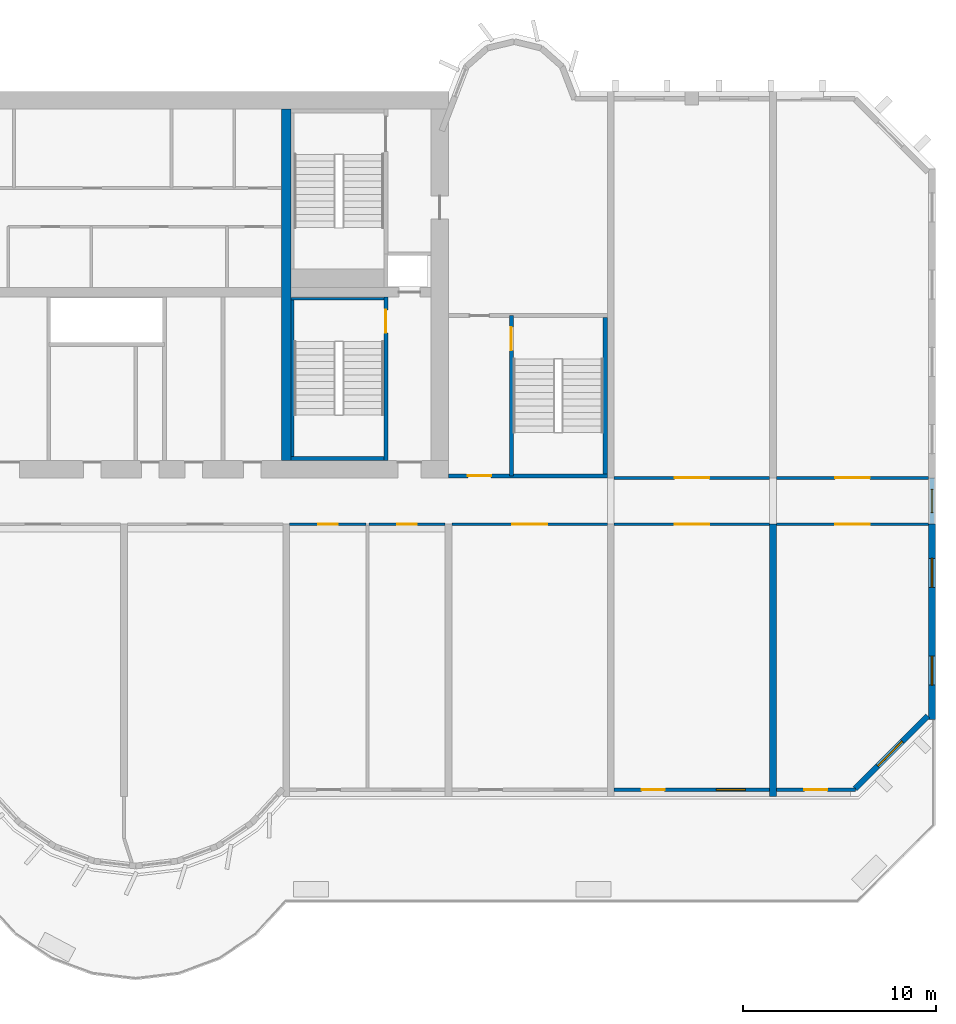
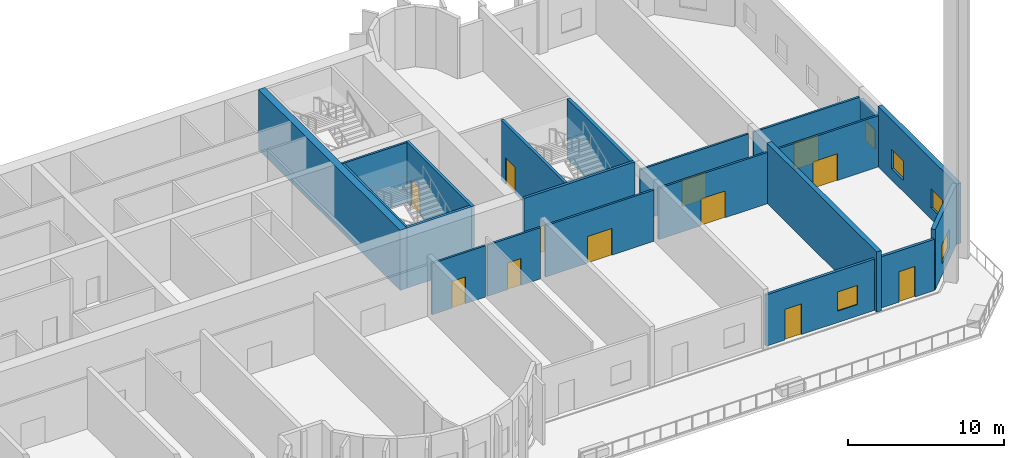
# One storey, part 7 of 13: 21 walls, 12 doors, 5 windows, 17 openings.
"""IFC4 building model written with IfcOpenShell, lengths in metres."""

import ifcopenshell
import ifcopenshell.guid

model = None  # the IFC model being written
_history = None  # IfcOwnerHistory: only IFC2X3 demands one
_inside = {}  # id of a spatial element -> (the spatial element, [elements in it])
_under = {}  # id of a project, library or spatial element -> (it, [spatial elements below it])
_declared = {}  # id of a project -> (the project, [libraries it declares])
_typed = {}  # id of a type object -> (the type object, [elements of that type])
_made_of = {}  # id of a material, layer set ... -> (it, [elements and type objects made of it])


def new_model(schema):
    """Start an empty IFC model of exactly this schema.

    Asked for "IFC4X3", IfcOpenShell would pick the latest addendum, in which some entities
    have other attributes; the version numbers below select the first issue.
    IFC2X3 requires an IfcOwnerHistory on every rooted entity: one is made here for all.
    """
    global model, _history
    if schema == "IFC4X3":
        model = ifcopenshell.file(schema_version=(4, 3, 0, 0))
    else:
        model = ifcopenshell.file(schema=schema)
    _inside.clear()
    _under.clear()
    _declared.clear()
    _typed.clear()
    _made_of.clear()
    _history = None
    if model.schema == "IFC2X3":
        org = make("IfcOrganization", Name="unknown")
        user = make(
            "IfcPersonAndOrganization",
            ThePerson=make("IfcPerson", FamilyName="unknown"),
            TheOrganization=org,
        )
        app = make(
            "IfcApplication",
            ApplicationDeveloper=org,
            Version="unknown",
            ApplicationFullName="unknown",
            ApplicationIdentifier="unknown",
        )
        _history = make(
            "IfcOwnerHistory",
            OwningUser=user,
            OwningApplication=app,
            ChangeAction="ADDED",
            CreationDate=0,
        )
    return model


def make(cls, **values):
    """One entity of the class cls with the attributes given. An attribute that is None is left unset."""
    return model.create_entity(
        cls, **{name: value for name, value in values.items() if value is not None}
    )


def rooted(cls, **values):
    """An entity with a GlobalId (a new one), such as an element, a storey or a relation."""
    return make(cls, GlobalId=ifcopenshell.guid.new(), OwnerHistory=_history, **values)


def si_unit(unit_type, name, prefix=None):
    """IfcSIUnit, for example si_unit("LENGTHUNIT", "METRE", prefix="MILLI")."""
    return make("IfcSIUnit", UnitType=unit_type, Prefix=prefix, Name=name)


def assignment(units):
    """IfcUnitAssignment: the units of a project."""
    return None if units is None else make("IfcUnitAssignment", Units=units)


def point(xyz):
    """IfcCartesianPoint."""
    return None if xyz is None else make("IfcCartesianPoint", Coordinates=xyz)


def direction(xyz):
    """IfcDirection."""
    return None if xyz is None else make("IfcDirection", DirectionRatios=xyz)


def frame(location, z_axis=None, x_axis=None):
    """IfcAxis2Placement3D, a coordinate frame: its origin and axes. An axis left out is left unset."""
    return make(
        "IfcAxis2Placement3D",
        Location=point(location),
        Axis=direction(z_axis),
        RefDirection=direction(x_axis),
    )


def frame_2d(location, x_axis=None):
    """IfcAxis2Placement2D, a coordinate frame in the plane: its origin and x axis."""
    return make(
        "IfcAxis2Placement2D", Location=point(location), RefDirection=direction(x_axis)
    )


def origin():
    """The frame at (0, 0, 0) with its axes left unset."""
    return frame((0.0, 0.0, 0.0))


def place(relative_to, where):
    """IfcLocalPlacement: puts the frame where relative to a parent placement (None: the world)."""
    return make(
        "IfcLocalPlacement", PlacementRelTo=relative_to, RelativePlacement=where
    )


def context(
    kind, dimensions, precision=None, world=None, true_north=None, identifier=None
):
    """IfcGeometricRepresentationContext, for example the 3D "Model" context."""
    return make(
        "IfcGeometricRepresentationContext",
        ContextIdentifier=identifier,
        ContextType=kind,
        CoordinateSpaceDimension=dimensions,
        Precision=precision,
        WorldCoordinateSystem=world,
        TrueNorth=true_north,
    )


def subcontext(parent, identifier, kind, view, scale=None):
    """IfcGeometricRepresentationSubContext, for example "Body" below "Model"."""
    return make(
        "IfcGeometricRepresentationSubContext",
        ContextIdentifier=identifier,
        ContextType=kind,
        ParentContext=parent,
        TargetScale=scale,
        TargetView=view,
    )


def project(units=None, contexts=None):
    """IfcProject with its units and contexts."""
    return rooted(
        "IfcProject",
        Name="project",
        RepresentationContexts=contexts,
        UnitsInContext=assignment(units),
    )


def spatial(cls, under=None, at=None, **own):
    """A site, building, storey or space (cls), placed at a placement, below another one or the project."""
    s = rooted(cls, ObjectPlacement=at, **own)
    if under is not None:
        _under.setdefault(under.id(), (under, []))[1].append(s)
    return s


def profile(cls, at=None, kind="AREA", **sizes):
    """A parametric profile (cls). Its sizes go by their IFC names, for example OverallWidth=200.0."""
    return make(cls, ProfileType=kind, Position=at, **sizes)


def rectangle(**sizes):
    """IfcRectangleProfileDef."""
    return profile("IfcRectangleProfileDef", **sizes)


def extrude(swept, where, along, depth):
    """IfcExtrudedAreaSolid: the profile swept, set in the frame where, extruded along a direction by depth."""
    return make(
        "IfcExtrudedAreaSolid",
        SweptArea=swept,
        Position=where,
        ExtrudedDirection=direction(along),
        Depth=depth,
    )


def shape(context_of_items, identifier, shape_type, items):
    """IfcShapeRepresentation: the items that make up one representation, for example the "Body"."""
    return make(
        "IfcShapeRepresentation",
        ContextOfItems=context_of_items,
        RepresentationIdentifier=identifier,
        RepresentationType=shape_type,
        Items=items,
    )


def source(mapping_origin, context_of_items, identifier, shape_type, items):
    """IfcRepresentationMap: a shape defined once, which mapped items show again and again."""
    return make(
        "IfcRepresentationMap",
        MappingOrigin=mapping_origin,
        MappedRepresentation=shape(context_of_items, identifier, shape_type, items),
    )


def transform(
    local_origin,
    x_axis=None,
    y_axis=None,
    z_axis=None,
    scale=None,
    scale2=None,
    scale3=None,
    uniform=True,
):
    """IfcCartesianTransformationOperator3D, or its non-uniform kind. x_axis, y_axis, z_axis: its Axis1, 2, 3."""
    if uniform:
        return make(
            "IfcCartesianTransformationOperator3D",
            Axis1=direction(x_axis),
            Axis2=direction(y_axis),
            LocalOrigin=point(local_origin),
            Scale=scale,
            Axis3=direction(z_axis),
        )
    return make(
        "IfcCartesianTransformationOperator3DnonUniform",
        Axis1=direction(x_axis),
        Axis2=direction(y_axis),
        LocalOrigin=point(local_origin),
        Scale=scale,
        Axis3=direction(z_axis),
        Scale2=scale2,
        Scale3=scale3,
    )


def mapped(mapping_source, mapping_target):
    """IfcMappedItem: shows the shape of a source again, moved by a transform."""
    return make(
        "IfcMappedItem", MappingSource=mapping_source, MappingTarget=mapping_target
    )


def material(Name=None, Category=None):
    """IfcMaterial."""
    return make("IfcMaterial", Name=Name, Category=Category)


def layer(
    of_material, thickness, ventilated=None, Name=None, Category=None, Priority=None
):
    """IfcMaterialLayer: one layer of a wall or slab, of a material (None: an air gap)."""
    return make(
        "IfcMaterialLayer",
        Material=of_material,
        LayerThickness=thickness,
        IsVentilated=ventilated,
        Name=Name,
        Category=Category,
        Priority=Priority,
    )


def layer_set(layers, Name=None):
    """IfcMaterialLayerSet."""
    return make("IfcMaterialLayerSet", MaterialLayers=layers, LayerSetName=Name)


def made_of(thing, what):
    """Note that an element or type object is made of a material, layer set ...; save() writes the relation."""
    if what is not None:
        _made_of.setdefault(what.id(), (what, []))[1].append(thing)
    return thing


def type_object(cls, material=None, **own):
    """A type object (cls), such as IfcWallType, which elements share."""
    return made_of(rooted(cls, **own), material)


def element(
    cls,
    number,
    at=None,
    inside=None,
    cuts=None,
    type_object=None,
    material=None,
    context=None,
    identifier="Body",
    shape_type=None,
    held_by="IfcProductDefinitionShape",
    body=None,
    shapes=None,
    **own,
):
    """One element of the class cls, such as IfcWall. Its Tag is "e" and its number.

    at: its placement. inside: the storey or other place that contains it. cuts: it is an
    opening in that element (IfcRelVoidsElement). A single representation is given by context,
    identifier, shape_type and body (its items); several are given by shapes. held_by: the class
    of the entity that holds the representations. save() writes the other relations.
    """
    e = rooted(cls, Tag="e%d" % number, ObjectPlacement=at, **own)
    if body is not None:
        shapes = [shape(context, identifier, shape_type, body)]
    if shapes is not None:
        e.Representation = make(held_by, Representations=shapes)
    if inside is not None:
        _inside.setdefault(inside.id(), (inside, []))[1].append(e)
    if cuts is not None:
        rooted(
            "IfcRelVoidsElement", RelatingBuildingElement=cuts, RelatedOpeningElement=e
        )
    if type_object is not None:
        _typed.setdefault(type_object.id(), (type_object, []))[1].append(e)
    return made_of(e, material)


def fill(opening, filler):
    """IfcRelFillsElement: the door or window that sits in an opening."""
    return rooted(
        "IfcRelFillsElement",
        RelatingOpeningElement=opening,
        RelatedBuildingElement=filler,
    )


def aggregate(whole, parts):
    """IfcRelAggregates: a whole, such as a stair, and the parts it consists of."""
    return rooted("IfcRelAggregates", RelatingObject=whole, RelatedObjects=parts)


def save(model, path):
    """Write the relations noted so far, then the file.

    IfcRelAggregates (storeys below a building ...), IfcRelContainedInSpatialStructure (elements
    in a storey), IfcRelDefinesByType, IfcRelAssociatesMaterial and IfcRelDeclares: one each for
    every whole, place, type object, material and project.
    """
    for whole, parts in _under.values():
        aggregate(whole, parts)
    for where, things in _inside.values():
        rooted(
            "IfcRelContainedInSpatialStructure",
            RelatedElements=things,
            RelatingStructure=where,
        )
    for kind, things in _typed.values():
        rooted("IfcRelDefinesByType", RelatedObjects=things, RelatingType=kind)
    for what, things in _made_of.values():
        rooted("IfcRelAssociatesMaterial", RelatedObjects=things, RelatingMaterial=what)
    for by, libraries in _declared.values():
        rooted("IfcRelDeclares", RelatingContext=by, RelatedDefinitions=libraries)
    model.write(path)


model = new_model("IFC4")

# Units and contexts
model_context = context("Model", 3, precision=1e-05, world=origin(), true_north=direction((0.0, 1.0)))
body_context = subcontext(model_context, "Body", "Model", "MODEL_VIEW")
ifc_project = project(units=[si_unit("LENGTHUNIT", "METRE"), si_unit("AREAUNIT", "SQUARE_METRE"), si_unit("VOLUMEUNIT", "CUBIC_METRE"), si_unit("PLANEANGLEUNIT", "RADIAN"), si_unit("MASSUNIT", "GRAM", prefix="KILO")], contexts=[model_context])

# Site, building, storey
site_placement = place(None, origin())
site = spatial("IfcSite", under=ifc_project, at=site_placement, CompositionType="ELEMENT")
building_placement = place(site_placement, origin())
building = spatial("IfcBuilding", under=site, at=building_placement, Name="Vanashikhar Sky Hotel", CompositionType="ELEMENT")
storey_placement = place(building_placement, frame((0.0, 0.0, 86.39990234375)))
storey = spatial("IfcBuildingStorey", under=building, at=storey_placement, Name="L20", CompositionType="ELEMENT", Elevation=86.39990234375)

# Wall
ifc_material_1 = material(Name="Concrete M70", Category="concrete")
ifc_layer_1 = layer(ifc_material_1, 0.5)
ifc_layer_set_1 = layer_set([ifc_layer_1], Name="RC core inner wall 500 Concrete M70")
wall_type_1 = type_object("IfcWallType", Name="RC core inner wall 500 Concrete M70", PredefinedType="SHEAR", material=ifc_layer_set_1)
shared_shape_1 = source(origin(), body_context, "Body", "SweptSolid", [
    extrude(rectangle(XDim=18.2001953125, YDim=0.5, at=frame_2d((9.10009765625, 0.0))), origin(), (0.0, 0.0, 1.0), 4.72021484375),
])
wall_1_placement = place(storey_placement, frame((67.199951171875, 22.89990234375, 0.0), z_axis=(0.0, 0.0, 1.0), x_axis=(0.0, 1.0, 0.0)))
element("IfcWall", 1, at=wall_1_placement, inside=storey, type_object=wall_type_1, Name="KW-L20-KX3", PredefinedType="SHEAR", context=body_context, shape_type="MappedRepresentation", body=[
    mapped(shared_shape_1, transform((0.0, 0.0, 0.0), scale=1.0)),
])

# Wall, openings, windows
ifc_layer_2 = layer(ifc_material_1, 0.35009765625)
ifc_layer_set_2 = layer_set([ifc_layer_2], Name="RC shear wall 350 Concrete M70")
wall_type_2 = type_object("IfcWallType", Name="RC shear wall 350 Concrete M70", PredefinedType="SHEAR", material=ifc_layer_set_2)
shared_shape_2 = source(origin(), body_context, "Body", "SweptSolid", [
    extrude(rectangle(XDim=10.10009765625, YDim=0.35009765625, at=frame_2d((5.050048828125, 0.0))), origin(), (0.0, 0.0, 1.0), 4.72021484375),
])
wall_2_placement = place(storey_placement, frame((100.625, 9.5, 0.0), z_axis=(0.0, 0.0, 1.0), x_axis=(0.0, 1.0, 0.0)))
wall_2 = element("IfcWall", 2, at=wall_2_placement, inside=storey, type_object=wall_type_2, Name="CW-L20-XW13-1", PredefinedType="SHEAR", context=body_context, shape_type="MappedRepresentation", body=[
    mapped(shared_shape_2, transform((0.0, 0.0, 0.0), scale=1.0)),
])
shared_shape_3 = source(origin(), body_context, "Body", "SweptSolid", [
    extrude(rectangle(XDim=1.5, YDim=1.5, at=frame_2d((0.75, 0.75))), frame((0.0, 0.18505859375, 0.0), z_axis=(0.0, -1.0, 0.0), x_axis=(1.0, 0.0, 0.0)), (0.0, 0.0, 1.0), 0.3701171875),
])
opening_1_placement = place(wall_2_placement, frame((1.77490234375, 0.0, 0.89990234375)))
opening_1 = element("IfcOpeningElement", 3, at=opening_1_placement, cuts=wall_2, Name="Opening WN-1", PredefinedType="OPENING", context=body_context, shape_type="MappedRepresentation", body=[
    mapped(shared_shape_3, transform((0.0, 0.0, 0.0), scale=1.0)),
])
opening_2_placement = place(wall_2_placement, frame((6.824951171875, 0.0, 0.89990234375)))
opening_2 = element("IfcOpeningElement", 4, at=opening_2_placement, cuts=wall_2, Name="Opening WN-1", PredefinedType="OPENING", context=body_context, shape_type="MappedRepresentation", body=[
    mapped(shared_shape_3, transform((0.0, 0.0, 0.0), scale=1.0)),
])
ifc_material_2 = material(Name="Glass", Category="glass")
window_type_1 = type_object("IfcWindowType", Name="Window 1500 x 1500", PartitioningType="SINGLE_PANEL", PredefinedType="WINDOW", material=ifc_material_2)
shared_shape_4 = source(origin(), body_context, "Body", "SweptSolid", [
    extrude(rectangle(XDim=1.5, YDim=1.5, at=frame_2d((0.75, 0.75))), frame((0.0, 0.030029296875, 0.0), z_axis=(0.0, -1.0, 0.0), x_axis=(1.0, 0.0, 0.0)), (0.0, 0.0, 1.0), 0.06005859375),
])
window_1_placement = place(opening_1_placement, origin())
window_1 = element("IfcWindow", 5, at=window_1_placement, inside=storey, type_object=window_type_1, Name="Window WN-1", OverallHeight=1.5, OverallWidth=1.5, PartitioningType="SINGLE_PANEL", PredefinedType="WINDOW", context=body_context, shape_type="MappedRepresentation", body=[
    mapped(shared_shape_4, transform((0.0, 0.0, 0.0), scale=1.0)),
])
fill(opening_1, window_1)
window_2_placement = place(opening_2_placement, origin())
window_2 = element("IfcWindow", 6, at=window_2_placement, inside=storey, type_object=window_type_1, Name="Window WN-1", OverallHeight=1.5, OverallWidth=1.5, PartitioningType="SINGLE_PANEL", PredefinedType="WINDOW", context=body_context, shape_type="MappedRepresentation", body=[
    mapped(shared_shape_4, transform((0.0, 0.0, 0.0), scale=1.0)),
])
fill(opening_2, window_2)

# Wall
shared_shape_5 = source(origin(), body_context, "Body", "SweptSolid", [
    extrude(rectangle(XDim=14.10009765625, YDim=0.35009765625, at=frame_2d((7.050048828125, 0.0))), origin(), (0.0, 0.0, 1.0), 4.72021484375),
])
wall_3_placement = place(storey_placement, frame((92.39990234375, 5.5, 0.0), z_axis=(0.0, 0.0, 1.0), x_axis=(0.0, 1.0, 0.0)))
element("IfcWall", 7, at=wall_3_placement, inside=storey, type_object=wall_type_2, Name="CW-L20-XW12-1", PredefinedType="SHEAR", context=body_context, shape_type="MappedRepresentation", body=[
    mapped(shared_shape_5, transform((0.0, 0.0, 0.0), scale=1.0)),
])

# Wall, opening, window
ifc_material_3 = material(Name="Concrete M50", Category="concrete")
ifc_layer_3 = layer(ifc_material_3, 0.25)
ifc_layer_set_3 = layer_set([ifc_layer_3], Name="Rear and end board-marked wall 250")
wall_type_3 = type_object("IfcWallType", Name="Rear and end board-marked wall 250", PredefinedType="SOLIDWALL", material=ifc_layer_set_3)
shared_shape_6 = source(origin(), body_context, "Body", "SweptSolid", [
    extrude(rectangle(XDim=2.39990234375, YDim=0.25, at=frame_2d((1.199951171875, 0.0))), origin(), (0.0, 0.0, 1.0), 3.820068359375),
])
wall_4_placement = place(storey_placement, frame((100.625, 19.60009765625, 0.0), z_axis=(0.0, 0.0, 1.0), x_axis=(0.0, 1.0, 0.0)))
wall_4 = element("IfcWall", 8, at=wall_4_placement, inside=storey, type_object=wall_type_3, Name="End corridor infill wall", PredefinedType="SOLIDWALL", context=body_context, shape_type="MappedRepresentation", body=[
    mapped(shared_shape_6, transform((0.0, 0.0, 0.0), scale=1.0)),
])
shared_shape_7 = source(origin(), body_context, "Body", "SweptSolid", [
    extrude(rectangle(XDim=1.199951171875, YDim=1.5, at=frame_2d((0.60009765625, 0.75))), frame((0.0, 0.135009765625, 0.0), z_axis=(0.0, -1.0, 0.0), x_axis=(1.0, 0.0, 0.0)), (0.0, 0.0, 1.0), 0.27001953125),
])
opening_3_placement = place(wall_4_placement, frame((0.60009765625, 0.0, 0.89990234375)))
opening_3 = element("IfcOpeningElement", 9, at=opening_3_placement, cuts=wall_4, Name="Opening WN-3", PredefinedType="OPENING", context=body_context, shape_type="MappedRepresentation", body=[
    mapped(shared_shape_7, transform((0.0, 0.0, 0.0), scale=1.0)),
])
window_type_2 = type_object("IfcWindowType", Name="Corridor end window 1200 x 1500", PartitioningType="SINGLE_PANEL", PredefinedType="WINDOW", material=ifc_material_2)
shared_shape_8 = source(origin(), body_context, "Body", "SweptSolid", [
    extrude(rectangle(XDim=1.199951171875, YDim=1.5, at=frame_2d((0.60009765625, 0.75))), frame((0.0, 0.030029296875, 0.0), z_axis=(0.0, -1.0, 0.0), x_axis=(1.0, 0.0, 0.0)), (0.0, 0.0, 1.0), 0.06005859375),
])
window_3_placement = place(opening_3_placement, origin())
window_3 = element("IfcWindow", 10, at=window_3_placement, inside=storey, type_object=window_type_2, Name="Window WN-3", OverallHeight=1.5, OverallWidth=1.199951171875, PartitioningType="SINGLE_PANEL", PredefinedType="WINDOW", context=body_context, shape_type="MappedRepresentation", body=[
    mapped(shared_shape_8, transform((0.0, 0.0, 0.0), scale=1.0)),
])
fill(opening_3, window_3)

# Wall, opening, door
ifc_layer_4 = layer(ifc_material_3, 0.199951171875)
ifc_layer_set_4 = layer_set([ifc_layer_4], Name="Front window wall 200")
wall_type_4 = type_object("IfcWallType", Name="Front window wall 200", PredefinedType="SOLIDWALL", material=ifc_layer_set_4)
shared_shape_9 = source(origin(), body_context, "Body", "SweptSolid", [
    extrude(rectangle(XDim=4.080078125, YDim=0.199951171875, at=frame_2d((2.0400390625, 0.0))), origin(), (0.0, 0.0, 1.0), 4.02001953125),
])
wall_5_placement = place(storey_placement, frame((92.574951171875, 5.85009765625, 0.0), z_axis=(0.0, 0.0, 1.0), x_axis=(1.0, 0.0, 0.0)))
wall_5 = element("IfcWall", 11, at=wall_5_placement, inside=storey, type_object=wall_type_4, Name="Front window wall", PredefinedType="SOLIDWALL", context=body_context, shape_type="MappedRepresentation", body=[
    mapped(shared_shape_9, transform((0.0, 0.0, 0.0), scale=1.0)),
])
shared_shape_10 = source(origin(), body_context, "Body", "SweptSolid", [
    extrude(rectangle(XDim=1.199951171875, YDim=2.39990234375, at=frame_2d((0.60009765625, 1.199951171875))), frame((0.0, 0.10986328125, 0.0), z_axis=(0.0, -1.0, 0.0), x_axis=(1.0, 0.0, 0.0)), (0.0, 0.0, 1.0), 0.219970703125),
])
opening_4_placement = place(wall_5_placement, frame((1.43994140625, 0.0, 0.0)))
opening_4 = element("IfcOpeningElement", 12, at=opening_4_placement, cuts=wall_5, Name="Opening BD-08", PredefinedType="OPENING", context=body_context, shape_type="MappedRepresentation", body=[
    mapped(shared_shape_10, transform((0.0, 0.0, 0.0), scale=1.0)),
])
ifc_material_4 = material(Name="Aluminium", Category="aluminium")
door_type_1 = type_object("IfcDoorType", Name="Balcony sliding door 1200 x 2400", OperationType="NOTDEFINED", PredefinedType="DOOR", material=ifc_material_4)
shared_shape_11 = source(origin(), body_context, "Body", "SweptSolid", [
    extrude(rectangle(XDim=1.199951171875, YDim=2.39990234375, at=frame_2d((0.60009765625, 1.199951171875))), frame((0.0, 0.02490234375, 0.0), z_axis=(0.0, -1.0, 0.0), x_axis=(1.0, 0.0, 0.0)), (0.0, 0.0, 1.0), 0.050048828125),
])
door_1_placement = place(opening_4_placement, origin())
door_1 = element("IfcDoor", 13, at=door_1_placement, inside=storey, type_object=door_type_1, Name="Balcony sliding door", OperationType="SLIDING_TO_RIGHT", OverallHeight=2.39990234375, OverallWidth=1.199951171875, PredefinedType="DOOR", context=body_context, shape_type="MappedRepresentation", body=[
    mapped(shared_shape_11, transform((0.0, 0.0, 0.0), scale=1.0)),
])
fill(opening_4, door_1)

# Wall, openings, window, door
shared_shape_12 = source(origin(), body_context, "Body", "SweptSolid", [
    extrude(rectangle(XDim=8.050048828125, YDim=0.199951171875, at=frame_2d((4.02490234375, 0.0))), origin(), (0.0, 0.0, 1.0), 4.02001953125),
])
wall_6_placement = place(storey_placement, frame((84.175048828125, 5.85009765625, 0.0), z_axis=(0.0, 0.0, 1.0), x_axis=(1.0, 0.0, 0.0)))
wall_6 = element("IfcWall", 14, at=wall_6_placement, inside=storey, type_object=wall_type_4, Name="Front window wall", PredefinedType="SOLIDWALL", context=body_context, shape_type="MappedRepresentation", body=[
    mapped(shared_shape_12, transform((0.0, 0.0, 0.0), scale=1.0)),
])
shared_shape_13 = source(origin(), body_context, "Body", "SweptSolid", [
    extrude(rectangle(XDim=1.5, YDim=1.5, at=frame_2d((0.75, 0.75))), frame((0.0, 0.10986328125, 0.0), z_axis=(0.0, -1.0, 0.0), x_axis=(1.0, 0.0, 0.0)), (0.0, 0.0, 1.0), 0.219970703125),
])
opening_5_placement = place(wall_6_placement, frame((5.28759765625, 0.0, 0.89990234375)))
opening_5 = element("IfcOpeningElement", 15, at=opening_5_placement, cuts=wall_6, Name="Opening WN-1", PredefinedType="OPENING", context=body_context, shape_type="MappedRepresentation", body=[
    mapped(shared_shape_13, transform((0.0, 0.0, 0.0), scale=1.0)),
])
opening_6_placement = place(wall_6_placement, frame((1.41259765625, 0.0, 0.0)))
opening_6 = element("IfcOpeningElement", 16, at=opening_6_placement, cuts=wall_6, Name="Opening BD-07", PredefinedType="OPENING", context=body_context, shape_type="MappedRepresentation", body=[
    mapped(shared_shape_10, transform((0.0, 0.0, 0.0), scale=1.0)),
])
window_4_placement = place(opening_5_placement, origin())
window_4 = element("IfcWindow", 17, at=window_4_placement, inside=storey, type_object=window_type_1, Name="Window WN-1", OverallHeight=1.5, OverallWidth=1.5, PartitioningType="SINGLE_PANEL", PredefinedType="WINDOW", context=body_context, shape_type="MappedRepresentation", body=[
    mapped(shared_shape_4, transform((0.0, 0.0, 0.0), scale=1.0)),
])
fill(opening_5, window_4)
door_2_placement = place(opening_6_placement, origin())
door_2 = element("IfcDoor", 18, at=door_2_placement, inside=storey, type_object=door_type_1, Name="Balcony sliding door", OperationType="SLIDING_TO_LEFT", OverallHeight=2.39990234375, OverallWidth=1.199951171875, PredefinedType="DOOR", context=body_context, shape_type="MappedRepresentation", body=[
    mapped(shared_shape_11, transform((0.0, 0.0, 0.0), scale=1.0)),
])
fill(opening_6, door_2)

# Wall, opening, window
ifc_layer_5 = layer(ifc_material_3, 0.300048828125)
ifc_layer_set_5 = layer_set([ifc_layer_5], Name="Lobe wall 300")
wall_type_5 = type_object("IfcWallType", Name="Lobe wall 300", PredefinedType="SOLIDWALL", material=ifc_layer_set_5)
shared_shape_14 = source(origin(), body_context, "Body", "SweptSolid", [
    extrude(rectangle(XDim=5.32568359375, YDim=0.300048828125, at=frame_2d((2.662841796875, 0.0))), origin(), (0.0, 0.0, 1.0), 4.72021484375),
])
wall_7_placement = place(storey_placement, frame((96.63427734375, 5.89990234375, 0.0), z_axis=(0.0, 0.0, 1.0), x_axis=(0.707083859269, 0.707129702361, 0.0)))
wall_7 = element("IfcWall", 19, at=wall_7_placement, inside=storey, type_object=wall_type_5, Name="Corner wall", PredefinedType="SOLIDWALL", context=body_context, shape_type="MappedRepresentation", body=[
    mapped(shared_shape_14, transform((0.0, 0.0, 0.0), scale=1.0)),
])
shared_shape_15 = source(origin(), body_context, "Body", "SweptSolid", [
    extrude(rectangle(XDim=1.800048828125, YDim=1.5, at=frame_2d((0.89990234375, 0.75))), frame((0.0, 0.16015625, 0.0), z_axis=(0.0, -1.0, 0.0), x_axis=(1.0, 0.0, 0.0)), (0.0, 0.0, 1.0), 0.320068359375),
])
opening_7_placement = place(wall_7_placement, frame((1.671875, 0.0, 0.89990234375)))
opening_7 = element("IfcOpeningElement", 20, at=opening_7_placement, cuts=wall_7, Name="Opening WN-4", PredefinedType="OPENING", context=body_context, shape_type="MappedRepresentation", body=[
    mapped(shared_shape_15, transform((0.0, 0.0, 0.0), scale=1.0)),
])
window_type_3 = type_object("IfcWindowType", Name="Corner window 1800 x 1500", PartitioningType="SINGLE_PANEL", PredefinedType="WINDOW", material=ifc_material_2)
shared_shape_16 = source(origin(), body_context, "Body", "SweptSolid", [
    extrude(rectangle(XDim=1.800048828125, YDim=1.5, at=frame_2d((0.89990234375, 0.75))), frame((0.0, 0.030029296875, 0.0), z_axis=(0.0, -1.0, 0.0), x_axis=(1.0, 0.0, 0.0)), (0.0, 0.0, 1.0), 0.06005859375),
])
window_5_placement = place(opening_7_placement, origin())
window_5 = element("IfcWindow", 21, at=window_5_placement, inside=storey, type_object=window_type_3, Name="Window WN-4", OverallHeight=1.5, OverallWidth=1.800048828125, PartitioningType="SINGLE_PANEL", PredefinedType="WINDOW", context=body_context, shape_type="MappedRepresentation", body=[
    mapped(shared_shape_16, transform((0.0, 0.0, 0.0), scale=1.0)),
])
fill(opening_7, window_5)

# Wall, opening, door
ifc_layer_6 = layer(ifc_material_3, 0.199951171875)
ifc_layer_set_6 = layer_set([ifc_layer_6], Name="Stair wall 200")
wall_type_6 = type_object("IfcWallType", Name="Stair wall 200", PredefinedType="SOLIDWALL", material=ifc_layer_set_6)
shared_shape_17 = source(origin(), body_context, "Body", "SweptSolid", [
    extrude(rectangle(XDim=8.4501953125, YDim=0.199951171875, at=frame_2d((4.22509765625, 0.0))), origin(), (0.0, 0.0, 1.0), 4.72021484375),
])
wall_8_placement = place(storey_placement, frame((72.35009765625, 22.89990234375, 0.0), z_axis=(0.0, 0.0, 1.0), x_axis=(0.0, 1.0, 0.0)))
wall_8 = element("IfcWall", 22, at=wall_8_placement, inside=storey, type_object=wall_type_6, Name="Stair wall 200", PredefinedType="SOLIDWALL", context=body_context, shape_type="MappedRepresentation", body=[
    mapped(shared_shape_17, transform((0.0, 0.0, 0.0), scale=1.0)),
])
shared_shape_18 = source(origin(), body_context, "Body", "SweptSolid", [
    extrude(rectangle(XDim=1.199951171875, YDim=2.10009765625, at=frame_2d((0.60009765625, 1.050048828125))), frame((0.0, 0.10986328125, 0.0), z_axis=(0.0, -1.0, 0.0), x_axis=(1.0, 0.0, 0.0)), (0.0, 0.0, 1.0), 0.219970703125),
])
opening_8_placement = place(wall_8_placement, frame((6.60009765625, 0.0, 0.0)))
opening_8 = element("IfcOpeningElement", 23, at=opening_8_placement, cuts=wall_8, Name="Opening DC-1", PredefinedType="OPENING", context=body_context, shape_type="MappedRepresentation", body=[
    mapped(shared_shape_18, transform((0.0, 0.0, 0.0), scale=1.0)),
])
ifc_material_5 = material(Name="Steel", Category="steel")
door_type_2 = type_object("IfcDoorType", Name="Stair door 1200 FD120", OperationType="NOTDEFINED", PredefinedType="DOOR", material=ifc_material_5)
shared_shape_19 = source(origin(), body_context, "Body", "SweptSolid", [
    extrude(rectangle(XDim=1.199951171875, YDim=2.10009765625, at=frame_2d((0.60009765625, 1.050048828125))), frame((0.0, 0.02490234375, 0.0), z_axis=(0.0, -1.0, 0.0), x_axis=(1.0, 0.0, 0.0)), (0.0, 0.0, 1.0), 0.050048828125),
])
door_3_placement = place(opening_8_placement, origin())
door_3 = element("IfcDoor", 24, at=door_3_placement, inside=storey, type_object=door_type_2, Name="Stair door 1200 FD120", OperationType="SINGLE_SWING_LEFT", OverallHeight=2.10009765625, OverallWidth=1.199951171875, PredefinedType="DOOR", context=body_context, shape_type="MappedRepresentation", body=[
    mapped(shared_shape_19, transform((0.0, 0.0, 0.0), scale=1.0)),
])
fill(opening_8, door_3)

shared_shape_20 = source(origin(), body_context, "Body", "SweptSolid", [
    extrude(rectangle(XDim=8.2998046875, YDim=0.199951171875, at=frame_2d((4.14990234375, 0.0))), origin(), (0.0, 0.0, 1.0), 4.72021484375),
])
wall_9_placement = place(storey_placement, frame((78.85009765625, 22.10009765625, 0.0), z_axis=(0.0, 0.0, 1.0), x_axis=(0.0, 1.0, 0.0)))
wall_9 = element("IfcWall", 25, at=wall_9_placement, inside=storey, type_object=wall_type_6, Name="Stair wall 200", PredefinedType="SOLIDWALL", context=body_context, shape_type="MappedRepresentation", body=[
    mapped(shared_shape_20, transform((0.0, 0.0, 0.0), scale=1.0)),
])
opening_9_placement = place(wall_9_placement, frame((6.5, 0.0, 0.0)))
opening_9 = element("IfcOpeningElement", 26, at=opening_9_placement, cuts=wall_9, Name="Opening DC-1", PredefinedType="OPENING", context=body_context, shape_type="MappedRepresentation", body=[
    mapped(shared_shape_18, transform((0.0, 0.0, 0.0), scale=1.0)),
])
door_4_placement = place(opening_9_placement, origin())
door_4 = element("IfcDoor", 27, at=door_4_placement, inside=storey, type_object=door_type_2, Name="Stair door 1200 FD120", OperationType="SINGLE_SWING_RIGHT", OverallHeight=2.10009765625, OverallWidth=1.199951171875, PredefinedType="DOOR", context=body_context, shape_type="MappedRepresentation", body=[
    mapped(shared_shape_19, transform((0.0, 0.0, 0.0), scale=1.0)),
])
fill(opening_9, door_4)

shared_shape_21 = source(origin(), body_context, "Body", "SweptSolid", [
    extrude(rectangle(XDim=8.224853515625, YDim=0.199951171875, at=frame_2d((4.1123046875, 0.0))), origin(), (0.0, 0.0, 1.0), 4.72021484375),
])
wall_10_placement = place(storey_placement, frame((83.824951171875, 22.10009765625, 0.0), z_axis=(0.0, 0.0, 1.0), x_axis=(-1.0, 0.0, 0.0)))
wall_10 = element("IfcWall", 28, at=wall_10_placement, inside=storey, type_object=wall_type_6, Name="Stair wall 200", PredefinedType="SOLIDWALL", context=body_context, shape_type="MappedRepresentation", body=[
    mapped(shared_shape_21, transform((0.0, 0.0, 0.0), scale=1.0)),
])
opening_10_placement = place(wall_10_placement, frame((6.02490234375, 0.0, 0.0)))
opening_10 = element("IfcOpeningElement", 29, at=opening_10_placement, cuts=wall_10, Name="Opening DC-2", PredefinedType="OPENING", context=body_context, shape_type="MappedRepresentation", body=[
    mapped(shared_shape_18, transform((0.0, 0.0, 0.0), scale=1.0)),
])
door_type_3 = type_object("IfcDoorType", Name="Firefighting lobby door 1200 FD120", OperationType="NOTDEFINED", PredefinedType="DOOR", material=ifc_material_5)
door_5_placement = place(opening_10_placement, origin())
door_5 = element("IfcDoor", 30, at=door_5_placement, inside=storey, type_object=door_type_3, Name="Firefighting lobby door 1200 FD120", OperationType="SINGLE_SWING_RIGHT", OverallHeight=2.10009765625, OverallWidth=1.199951171875, PredefinedType="DOOR", context=body_context, shape_type="MappedRepresentation", body=[
    mapped(shared_shape_19, transform((0.0, 0.0, 0.0), scale=1.0)),
])
fill(opening_10, door_5)

# Walls
ifc_layer_7 = layer(ifc_material_3, 0.199951171875)
ifc_layer_set_7 = layer_set([ifc_layer_7], Name="Stair infill wall 200")
wall_type_7 = type_object("IfcWallType", Name="Stair infill wall 200", PredefinedType="SOLIDWALL", material=ifc_layer_set_7)
shared_shape_22 = source(origin(), body_context, "Body", "SweptSolid", [
    extrude(rectangle(XDim=4.800048828125, YDim=0.199951171875, at=frame_2d((2.39990234375, 0.0))), origin(), (0.0, 0.0, 1.0), 4.72021484375),
])
wall_11_placement = place(storey_placement, frame((67.449951171875, 23.0, 0.0), z_axis=(0.0, 0.0, 1.0), x_axis=(1.0, 0.0, 0.0)))
element("IfcWall", 31, at=wall_11_placement, inside=storey, type_object=wall_type_7, Name="Stair infill wall 200", PredefinedType="SOLIDWALL", context=body_context, shape_type="MappedRepresentation", body=[
    mapped(shared_shape_22, transform((0.0, 0.0, 0.0), scale=1.0)),
])
ifc_layer_8 = layer(ifc_material_3, 0.14990234375)
ifc_layer_set_8 = layer_set([ifc_layer_8], Name="Stair infill wall 150")
wall_type_8 = type_object("IfcWallType", Name="Stair infill wall 150", PredefinedType="SOLIDWALL", material=ifc_layer_set_8)
shared_shape_23 = source(origin(), body_context, "Body", "SweptSolid", [
    extrude(rectangle(XDim=4.800048828125, YDim=0.14990234375, at=frame_2d((2.39990234375, 0.0))), origin(), (0.0, 0.0, 1.0), 4.72021484375),
])
wall_12_placement = place(storey_placement, frame((67.449951171875, 31.27490234375, 0.0), z_axis=(0.0, 0.0, 1.0), x_axis=(1.0, 0.0, 0.0)))
element("IfcWall", 32, at=wall_12_placement, inside=storey, type_object=wall_type_8, Name="Stair infill wall 150", PredefinedType="SOLIDWALL", context=body_context, shape_type="MappedRepresentation", body=[
    mapped(shared_shape_23, transform((0.0, 0.0, 0.0), scale=1.0)),
])
shared_shape_24 = source(origin(), body_context, "Body", "SweptSolid", [
    extrude(rectangle(XDim=8.099853515625, YDim=0.14990234375, at=frame_2d((4.0498046875, 0.0))), origin(), (0.0, 0.0, 1.0), 4.72021484375),
])
wall_13_placement = place(storey_placement, frame((67.52490234375, 23.10009765625, 0.0), z_axis=(0.0, 0.0, 1.0), x_axis=(0.0, 1.0, 0.0)))
element("IfcWall", 33, at=wall_13_placement, inside=storey, type_object=wall_type_8, Name="Stair infill wall 150", PredefinedType="SOLIDWALL", context=body_context, shape_type="MappedRepresentation", body=[
    mapped(shared_shape_24, transform((0.0, 0.0, 0.0), scale=1.0)),
])
ifc_layer_9 = layer(ifc_material_3, 0.22509765625)
ifc_layer_set_9 = layer_set([ifc_layer_9], Name="Stair infill wall 225")
wall_type_9 = type_object("IfcWallType", Name="Stair infill wall 225", PredefinedType="SOLIDWALL", material=ifc_layer_set_9)
shared_shape_25 = source(origin(), body_context, "Body", "SweptSolid", [
    extrude(rectangle(XDim=8.10009765625, YDim=0.22509765625, at=frame_2d((4.050048828125, 0.0))), origin(), (0.0, 0.0, 1.0), 4.72021484375),
])
wall_14_placement = place(storey_placement, frame((83.712890625, 22.199951171875, 0.0), z_axis=(0.0, 0.0, 1.0), x_axis=(0.0, 1.0, 0.0)))
element("IfcWall", 34, at=wall_14_placement, inside=storey, type_object=wall_type_9, Name="Stair infill wall 225", PredefinedType="SOLIDWALL", context=body_context, shape_type="MappedRepresentation", body=[
    mapped(shared_shape_25, transform((0.0, 0.0, 0.0), scale=1.0)),
])

# Wall, opening, door
ifc_material_6 = material(Name="Gypsum plasterboard partition")
ifc_layer_10 = layer(ifc_material_6, 0.14990234375)
ifc_layer_set_10 = layer_set([ifc_layer_10], Name="Corridor and demising partition 150")
wall_type_10 = type_object("IfcWallType", Name="Corridor and demising partition 150", PredefinedType="PARTITIONING", material=ifc_layer_set_10)
shared_shape_26 = source(origin(), body_context, "Body", "SweptSolid", [
    extrude(rectangle(XDim=7.875, YDim=0.14990234375, at=frame_2d((3.9375, 0.0))), origin(), (0.0, 0.0, 1.0), 4.02001953125),
])
wall_15_placement = place(storey_placement, frame((92.574951171875, 19.60009765625, 0.0), z_axis=(0.0, 0.0, 1.0), x_axis=(1.0, 0.0, 0.0)))
wall_15 = element("IfcWall", 35, at=wall_15_placement, inside=storey, type_object=wall_type_10, Name="W-L20-PW018", PredefinedType="PARTITIONING", context=body_context, shape_type="MappedRepresentation", body=[
    mapped(shared_shape_26, transform((0.0, 0.0, 0.0), scale=1.0)),
])
shared_shape_27 = source(origin(), body_context, "Body", "SweptSolid", [
    extrude(rectangle(XDim=1.800048828125, YDim=2.10009765625, at=frame_2d((0.89990234375, 1.050048828125))), frame((0.0, 0.0849609375, 0.0), z_axis=(0.0, -1.0, 0.0), x_axis=(1.0, 0.0, 0.0)), (0.0, 0.0, 1.0), 0.169921875),
])
opening_11_placement = place(wall_15_placement, frame((3.037109375, 0.0, 0.0)))
opening_11 = element("IfcOpeningElement", 36, at=opening_11_placement, cuts=wall_15, Name="Opening D-03", PredefinedType="OPENING", context=body_context, shape_type="MappedRepresentation", body=[
    mapped(shared_shape_27, transform((0.0, 0.0, 0.0), scale=1.0)),
])
ifc_material_7 = material(Name="Timber fire door", Category="wood")
door_type_4 = type_object("IfcDoorType", Name="Double leaf door 1800 FD30S", OperationType="NOTDEFINED", PredefinedType="DOOR", material=ifc_material_7)
shared_shape_28 = source(origin(), body_context, "Body", "SweptSolid", [
    extrude(rectangle(XDim=1.800048828125, YDim=2.10009765625, at=frame_2d((0.89990234375, 1.050048828125))), frame((0.0, 0.02490234375, 0.0), z_axis=(0.0, -1.0, 0.0), x_axis=(1.0, 0.0, 0.0)), (0.0, 0.0, 1.0), 0.050048828125),
])
door_6_placement = place(opening_11_placement, origin())
door_6 = element("IfcDoor", 37, at=door_6_placement, inside=storey, type_object=door_type_4, Name="D-L20-015", OperationType="DOUBLE_DOOR_SINGLE_SWING", OverallHeight=2.10009765625, OverallWidth=1.800048828125, PredefinedType="DOOR", context=body_context, shape_type="MappedRepresentation", body=[
    mapped(shared_shape_28, transform((0.0, 0.0, 0.0), scale=1.0)),
])
fill(opening_11, door_6)

wall_16_placement = place(storey_placement, frame((92.574951171875, 22.0, 0.0), z_axis=(0.0, 0.0, 1.0), x_axis=(1.0, 0.0, 0.0)))
wall_16 = element("IfcWall", 38, at=wall_16_placement, inside=storey, type_object=wall_type_10, Name="W-L20-PW024", PredefinedType="PARTITIONING", context=body_context, shape_type="MappedRepresentation", body=[
    mapped(shared_shape_26, transform((0.0, 0.0, 0.0), scale=1.0)),
])
opening_12_placement = place(wall_16_placement, frame((3.037109375, 0.0, 0.0)))
opening_12 = element("IfcOpeningElement", 39, at=opening_12_placement, cuts=wall_16, Name="Opening D-03", PredefinedType="OPENING", context=body_context, shape_type="MappedRepresentation", body=[
    mapped(shared_shape_27, transform((0.0, 0.0, 0.0), scale=1.0)),
])
door_7_placement = place(opening_12_placement, origin())
door_7 = element("IfcDoor", 40, at=door_7_placement, inside=storey, type_object=door_type_4, Name="D-L20-019", OperationType="DOUBLE_DOOR_SINGLE_SWING", OverallHeight=2.10009765625, OverallWidth=1.800048828125, PredefinedType="DOOR", context=body_context, shape_type="MappedRepresentation", body=[
    mapped(shared_shape_28, transform((0.0, 0.0, 0.0), scale=1.0)),
])
fill(opening_12, door_7)

shared_shape_29 = source(origin(), body_context, "Body", "SweptSolid", [
    extrude(rectangle(XDim=3.949951171875, YDim=0.14990234375, at=frame_2d((1.97509765625, 0.0))), origin(), (0.0, 0.0, 1.0), 4.02001953125),
])
wall_17_placement = place(storey_placement, frame((67.375, 19.60009765625, 0.0), z_axis=(0.0, 0.0, 1.0), x_axis=(1.0, 0.0, 0.0)))
wall_17 = element("IfcWall", 41, at=wall_17_placement, inside=storey, type_object=wall_type_10, Name="W-L20-PW013", PredefinedType="PARTITIONING", context=body_context, shape_type="MappedRepresentation", body=[
    mapped(shared_shape_29, transform((0.0, 0.0, 0.0), scale=1.0)),
])
shared_shape_30 = source(origin(), body_context, "Body", "SweptSolid", [
    extrude(rectangle(XDim=1.0, YDim=2.10009765625, at=frame_2d((0.5, 1.050048828125))), frame((0.0, 0.0849609375, 0.0), z_axis=(0.0, -1.0, 0.0), x_axis=(1.0, 0.0, 0.0)), (0.0, 0.0, 1.0), 0.169921875),
])
opening_13_placement = place(wall_17_placement, frame((1.47509765625, 0.0, 0.0)))
opening_13 = element("IfcOpeningElement", 42, at=opening_13_placement, cuts=wall_17, Name="Opening D-01", PredefinedType="OPENING", context=body_context, shape_type="MappedRepresentation", body=[
    mapped(shared_shape_30, transform((0.0, 0.0, 0.0), scale=1.0)),
])
door_type_5 = type_object("IfcDoorType", Name="Guest entry door 1000 FD30S", OperationType="NOTDEFINED", PredefinedType="DOOR", material=ifc_material_7)
shared_shape_31 = source(origin(), body_context, "Body", "SweptSolid", [
    extrude(rectangle(XDim=1.0, YDim=2.10009765625, at=frame_2d((0.5, 1.050048828125))), frame((0.0, 0.02490234375, 0.0), z_axis=(0.0, -1.0, 0.0), x_axis=(1.0, 0.0, 0.0)), (0.0, 0.0, 1.0), 0.050048828125),
])
door_8_placement = place(opening_13_placement, origin())
door_8 = element("IfcDoor", 43, at=door_8_placement, inside=storey, type_object=door_type_5, Name="D-L20-011", OperationType="SINGLE_SWING_LEFT", OverallHeight=2.10009765625, OverallWidth=1.0, PredefinedType="DOOR", context=body_context, shape_type="MappedRepresentation", body=[
    mapped(shared_shape_31, transform((0.0, 0.0, 0.0), scale=1.0)),
])
fill(opening_13, door_8)

wall_18_placement = place(storey_placement, frame((71.47509765625, 19.60009765625, 0.0), z_axis=(0.0, 0.0, 1.0), x_axis=(1.0, 0.0, 0.0)))
wall_18 = element("IfcWall", 44, at=wall_18_placement, inside=storey, type_object=wall_type_10, Name="W-L20-PW014", PredefinedType="PARTITIONING", context=body_context, shape_type="MappedRepresentation", body=[
    mapped(shared_shape_29, transform((0.0, 0.0, 0.0), scale=1.0)),
])
opening_14_placement = place(wall_18_placement, frame((1.47509765625, 0.0, 0.0)))
opening_14 = element("IfcOpeningElement", 45, at=opening_14_placement, cuts=wall_18, Name="Opening D-01", PredefinedType="OPENING", context=body_context, shape_type="MappedRepresentation", body=[
    mapped(shared_shape_30, transform((0.0, 0.0, 0.0), scale=1.0)),
])
door_9_placement = place(opening_14_placement, origin())
door_9 = element("IfcDoor", 46, at=door_9_placement, inside=storey, type_object=door_type_5, Name="D-L20-012", OperationType="SINGLE_SWING_RIGHT", OverallHeight=2.10009765625, OverallWidth=1.0, PredefinedType="DOOR", context=body_context, shape_type="MappedRepresentation", body=[
    mapped(shared_shape_31, transform((0.0, 0.0, 0.0), scale=1.0)),
])
fill(opening_14, door_9)

shared_shape_32 = source(origin(), body_context, "Body", "SweptSolid", [
    extrude(rectangle(XDim=8.050048828125, YDim=0.14990234375, at=frame_2d((4.02490234375, 0.0))), origin(), (0.0, 0.0, 1.0), 4.02001953125),
])
wall_19_placement = place(storey_placement, frame((75.77490234375, 19.60009765625, 0.0), z_axis=(0.0, 0.0, 1.0), x_axis=(1.0, 0.0, 0.0)))
wall_19 = element("IfcWall", 47, at=wall_19_placement, inside=storey, type_object=wall_type_10, Name="W-L20-PW016", PredefinedType="PARTITIONING", context=body_context, shape_type="MappedRepresentation", body=[
    mapped(shared_shape_32, transform((0.0, 0.0, 0.0), scale=1.0)),
])
opening_15_placement = place(wall_19_placement, frame((3.125, 0.0, 0.0)))
opening_15 = element("IfcOpeningElement", 48, at=opening_15_placement, cuts=wall_19, Name="Opening D-03", PredefinedType="OPENING", context=body_context, shape_type="MappedRepresentation", body=[
    mapped(shared_shape_27, transform((0.0, 0.0, 0.0), scale=1.0)),
])
door_10_placement = place(opening_15_placement, origin())
door_10 = element("IfcDoor", 49, at=door_10_placement, inside=storey, type_object=door_type_4, Name="D-L20-013", OperationType="DOUBLE_DOOR_SINGLE_SWING", OverallHeight=2.10009765625, OverallWidth=1.800048828125, PredefinedType="DOOR", context=body_context, shape_type="MappedRepresentation", body=[
    mapped(shared_shape_28, transform((0.0, 0.0, 0.0), scale=1.0)),
])
fill(opening_15, door_10)

wall_20_placement = place(storey_placement, frame((84.175048828125, 19.60009765625, 0.0), z_axis=(0.0, 0.0, 1.0), x_axis=(1.0, 0.0, 0.0)))
wall_20 = element("IfcWall", 50, at=wall_20_placement, inside=storey, type_object=wall_type_10, Name="W-L20-PW017", PredefinedType="PARTITIONING", context=body_context, shape_type="MappedRepresentation", body=[
    mapped(shared_shape_32, transform((0.0, 0.0, 0.0), scale=1.0)),
])
opening_16_placement = place(wall_20_placement, frame((3.125, 0.0, 0.0)))
opening_16 = element("IfcOpeningElement", 51, at=opening_16_placement, cuts=wall_20, Name="Opening D-03", PredefinedType="OPENING", context=body_context, shape_type="MappedRepresentation", body=[
    mapped(shared_shape_27, transform((0.0, 0.0, 0.0), scale=1.0)),
])
door_11_placement = place(opening_16_placement, origin())
door_11 = element("IfcDoor", 52, at=door_11_placement, inside=storey, type_object=door_type_4, Name="D-L20-014", OperationType="DOUBLE_DOOR_SINGLE_SWING", OverallHeight=2.10009765625, OverallWidth=1.800048828125, PredefinedType="DOOR", context=body_context, shape_type="MappedRepresentation", body=[
    mapped(shared_shape_28, transform((0.0, 0.0, 0.0), scale=1.0)),
])
fill(opening_16, door_11)

wall_21_placement = place(storey_placement, frame((84.175048828125, 22.0, 0.0), z_axis=(0.0, 0.0, 1.0), x_axis=(1.0, 0.0, 0.0)))
wall_21 = element("IfcWall", 53, at=wall_21_placement, inside=storey, type_object=wall_type_10, Name="W-L20-PW023", PredefinedType="PARTITIONING", context=body_context, shape_type="MappedRepresentation", body=[
    mapped(shared_shape_32, transform((0.0, 0.0, 0.0), scale=1.0)),
])
opening_17_placement = place(wall_21_placement, frame((3.125, 0.0, 0.0)))
opening_17 = element("IfcOpeningElement", 54, at=opening_17_placement, cuts=wall_21, Name="Opening D-03", PredefinedType="OPENING", context=body_context, shape_type="MappedRepresentation", body=[
    mapped(shared_shape_27, transform((0.0, 0.0, 0.0), scale=1.0)),
])
door_12_placement = place(opening_17_placement, origin())
door_12 = element("IfcDoor", 55, at=door_12_placement, inside=storey, type_object=door_type_4, Name="D-L20-018", OperationType="DOUBLE_DOOR_SINGLE_SWING", OverallHeight=2.10009765625, OverallWidth=1.800048828125, PredefinedType="DOOR", context=body_context, shape_type="MappedRepresentation", body=[
    mapped(shared_shape_28, transform((0.0, 0.0, 0.0), scale=1.0)),
])
fill(opening_17, door_12)

save(model, "model.ifc")
